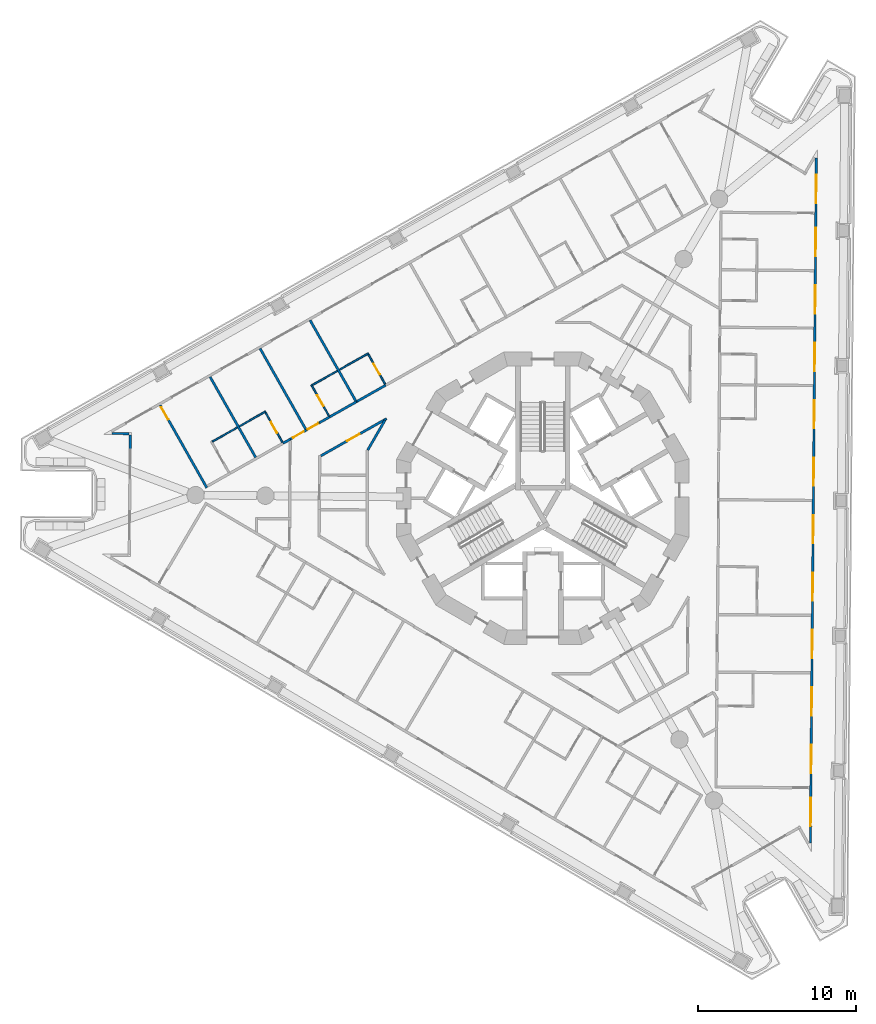
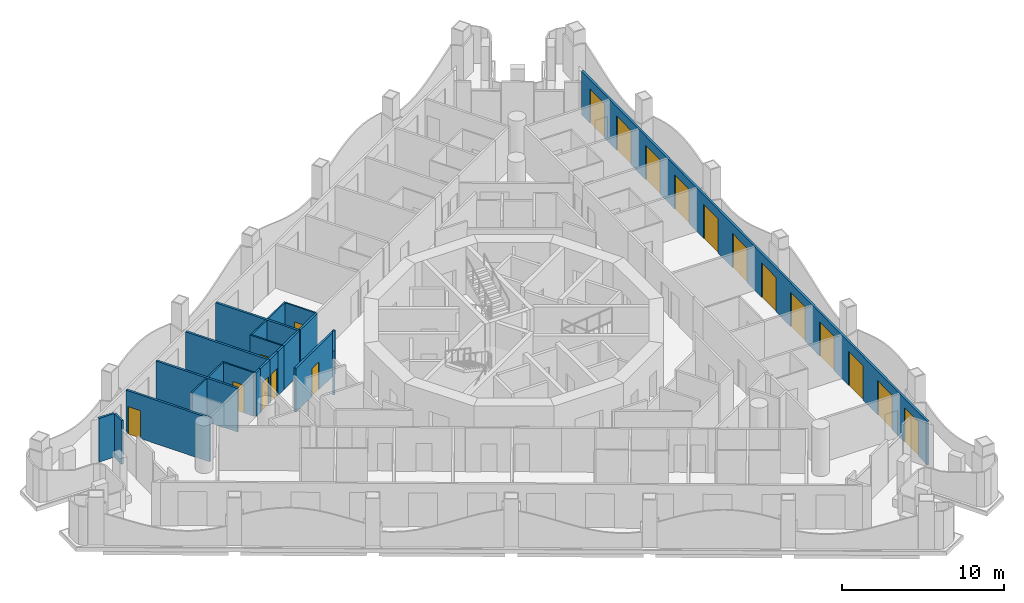
# One storey, part 7 of 18: 22 walls, 19 doors, 19 openings.
"""IFC4 building model written with IfcOpenShell, lengths in metres."""

from ifc_helpers import new_model, si_unit, direction, frame, frame_2d, origin, place, context, subcontext, project, spatial, polyline, rectangle, outline, extrude, material, layer, layer_set, type_object, element, fill, save


model = new_model("IFC4")

# Units and contexts
model_context = context("Model", 3, precision=1e-05, world=origin(), true_north=direction((0.0, 1.0)))
body_context = subcontext(model_context, "Body", "Model", "MODEL_VIEW")
ifc_project = project(units=[si_unit("LENGTHUNIT", "METRE"), si_unit("AREAUNIT", "SQUARE_METRE"), si_unit("VOLUMEUNIT", "CUBIC_METRE"), si_unit("PLANEANGLEUNIT", "RADIAN"), si_unit("MASSUNIT", "GRAM", prefix="KILO")], contexts=[model_context])

# Site, building, storey
site_placement = place(None, origin())
site = spatial("IfcSite", under=ifc_project, at=site_placement, CompositionType="ELEMENT")
building_placement = place(site_placement, origin())
building = spatial("IfcBuilding", under=site, at=building_placement, Name="Trine Commons Tower", CompositionType="ELEMENT")
storey_placement = place(building_placement, frame((0.0, 0.0, 171.89990234375)))
storey = spatial("IfcBuildingStorey", under=building, at=storey_placement, Name="L44", CompositionType="ELEMENT", Elevation=171.89990234375)

# Walls
ifc_material_1 = material(Name="Aluminium-framed insulated wall panel", Category="aluminium")
ifc_layer_1 = layer(ifc_material_1, 0.14990234375)
ifc_layer_set_1 = layer_set([ifc_layer_1], Name="Aluminium-framed insulated wall panel")
wall_type_1 = type_object("IfcWallType", Name="Glazed frame wall 150, EI 60", PredefinedType="SOLIDWALL", material=ifc_layer_set_1)
wall_1_placement = place(storey_placement, frame((53.816162109375, 65.628662109375, 0.0), z_axis=(0.0, 0.0, 1.0), x_axis=(0.008788723053, 0.999961378428, 0.0)))
element("IfcWall", 1, at=wall_1_placement, inside=storey, type_object=wall_type_1, Name="Glazed frame wall P1.5", PredefinedType="SOLIDWALL", context=body_context, shape_type="SweptSolid", body=[
    extrude(outline(polyline([(0.889892578125, 0.074951171875), (0.0, 0.074951171875), (0.0, -0.074951171875), (0.889892578125, -0.074951171875), (0.889892578125, 0.074951171875)])), origin(), (0.0, 0.0, 1.0), 3.300048828125),
])
wall_2_placement = place(storey_placement, frame((53.859619140625, 66.59326171875, 0.0), z_axis=(0.0, 0.0, 1.0), x_axis=(-0.999962043845, 0.008712684354, 0.0)))
element("IfcWall", 2, at=wall_2_placement, inside=storey, type_object=wall_type_1, Name="Glazed frame wall R3", PredefinedType="SOLIDWALL", context=body_context, shape_type="SweptSolid", body=[
    extrude(outline(polyline([(0.110107421875, 0.074951171875), (0.110107421875, -0.074951171875), (1.19580078125, -0.074951171875), (1.19580078125, 0.074951171875), (0.110107421875, 0.074951171875)])), origin(), (0.0, 0.0, 1.0), 3.300048828125),
])

# Wall, openings, doors
wall_3_placement = place(storey_placement, frame((97.36279296875, 84.232421875, 0.0), z_axis=(0.0, 0.0, 1.0), x_axis=(-0.00872447395, -0.999961941053, 0.0)))
wall_3 = element("IfcWall", 3, at=wall_3_placement, inside=storey, type_object=wall_type_1, Name="Glazed frame wall F2", PredefinedType="SOLIDWALL", context=body_context, shape_type="SweptSolid", body=[
    extrude(outline(polyline([(0.1494140625, 0.074951171875), (0.1494140625, -0.074951171875), (43.616943359375, -0.074951171875), (43.616943359375, 0.074951171875), (0.1494140625, 0.074951171875)])), origin(), (0.0, 0.0, 1.0), 3.300048828125),
])
opening_1_placement = place(wall_3_placement, frame((1.2236328125, 0.0, 0.0)))
opening_1 = element("IfcOpeningElement", 4, at=opening_1_placement, cuts=wall_3, Name="Opening BD-5F2-01", PredefinedType="OPENING", context=body_context, shape_type="SweptSolid", body=[
    extrude(rectangle(XDim=1.800048828125, YDim=2.60009765625, at=frame_2d((0.89990234375, 1.300048828125))), frame((0.0, 0.0849609375, 0.0), z_axis=(0.0, -1.0, 0.0), x_axis=(1.0, 0.0, 0.0)), (0.0, 0.0, 1.0), 0.169921875),
])
opening_2_placement = place(wall_3_placement, frame((4.57080078125, 0.0, 0.0)))
opening_2 = element("IfcOpeningElement", 5, at=opening_2_placement, cuts=wall_3, Name="Opening BD-5F2-02", PredefinedType="OPENING", context=body_context, shape_type="SweptSolid", body=[
    extrude(rectangle(XDim=1.800048828125, YDim=2.60009765625, at=frame_2d((0.89990234375, 1.300048828125))), frame((0.0, 0.0849609375, 0.0), z_axis=(0.0, -1.0, 0.0), x_axis=(1.0, 0.0, 0.0)), (0.0, 0.0, 1.0), 0.169921875),
])
opening_3_placement = place(wall_3_placement, frame((8.218017578125, 0.0, 0.0)))
opening_3 = element("IfcOpeningElement", 6, at=opening_3_placement, cuts=wall_3, Name="Opening BD-5F2-03", PredefinedType="OPENING", context=body_context, shape_type="SweptSolid", body=[
    extrude(rectangle(XDim=1.800048828125, YDim=2.60009765625, at=frame_2d((0.89990234375, 1.300048828125))), frame((0.0, 0.0849609375, 0.0), z_axis=(0.0, -1.0, 0.0), x_axis=(1.0, 0.0, 0.0)), (0.0, 0.0, 1.0), 0.169921875),
])
opening_4_placement = place(wall_3_placement, frame((11.865234375, 0.0, 0.0)))
opening_4 = element("IfcOpeningElement", 7, at=opening_4_placement, cuts=wall_3, Name="Opening BD-5F2-04", PredefinedType="OPENING", context=body_context, shape_type="SweptSolid", body=[
    extrude(rectangle(XDim=1.800048828125, YDim=2.60009765625, at=frame_2d((0.89990234375, 1.300048828125))), frame((0.0, 0.0849609375, 0.0), z_axis=(0.0, -1.0, 0.0), x_axis=(1.0, 0.0, 0.0)), (0.0, 0.0, 1.0), 0.169921875),
])
opening_5_placement = place(wall_3_placement, frame((15.512451171875, 0.0, 0.0)))
opening_5 = element("IfcOpeningElement", 8, at=opening_5_placement, cuts=wall_3, Name="Opening BD-5F2-05", PredefinedType="OPENING", context=body_context, shape_type="SweptSolid", body=[
    extrude(rectangle(XDim=1.800048828125, YDim=2.60009765625, at=frame_2d((0.89990234375, 1.300048828125))), frame((0.0, 0.0849609375, 0.0), z_axis=(0.0, -1.0, 0.0), x_axis=(1.0, 0.0, 0.0)), (0.0, 0.0, 1.0), 0.169921875),
])
opening_6_placement = place(wall_3_placement, frame((19.15966796875, 0.0, 0.0)))
opening_6 = element("IfcOpeningElement", 9, at=opening_6_placement, cuts=wall_3, Name="Opening BD-5F2-06", PredefinedType="OPENING", context=body_context, shape_type="SweptSolid", body=[
    extrude(rectangle(XDim=1.800048828125, YDim=2.60009765625, at=frame_2d((0.89990234375, 1.300048828125))), frame((0.0, 0.0849609375, 0.0), z_axis=(0.0, -1.0, 0.0), x_axis=(1.0, 0.0, 0.0)), (0.0, 0.0, 1.0), 0.169921875),
])
opening_7_placement = place(wall_3_placement, frame((22.806884765625, 0.0, 0.0)))
opening_7 = element("IfcOpeningElement", 10, at=opening_7_placement, cuts=wall_3, Name="Opening BD-5F2-07", PredefinedType="OPENING", context=body_context, shape_type="SweptSolid", body=[
    extrude(rectangle(XDim=1.800048828125, YDim=2.60009765625, at=frame_2d((0.89990234375, 1.300048828125))), frame((0.0, 0.0849609375, 0.0), z_axis=(0.0, -1.0, 0.0), x_axis=(1.0, 0.0, 0.0)), (0.0, 0.0, 1.0), 0.169921875),
])
opening_8_placement = place(wall_3_placement, frame((26.4541015625, 0.0, 0.0)))
opening_8 = element("IfcOpeningElement", 11, at=opening_8_placement, cuts=wall_3, Name="Opening BD-5F2-08", PredefinedType="OPENING", context=body_context, shape_type="SweptSolid", body=[
    extrude(rectangle(XDim=1.800048828125, YDim=2.60009765625, at=frame_2d((0.89990234375, 1.300048828125))), frame((0.0, 0.0849609375, 0.0), z_axis=(0.0, -1.0, 0.0), x_axis=(1.0, 0.0, 0.0)), (0.0, 0.0, 1.0), 0.169921875),
])
opening_9_placement = place(wall_3_placement, frame((30.101318359375, 0.0, 0.0)))
opening_9 = element("IfcOpeningElement", 12, at=opening_9_placement, cuts=wall_3, Name="Opening BD-5F2-09", PredefinedType="OPENING", context=body_context, shape_type="SweptSolid", body=[
    extrude(rectangle(XDim=1.800048828125, YDim=2.60009765625, at=frame_2d((0.89990234375, 1.300048828125))), frame((0.0, 0.0849609375, 0.0), z_axis=(0.0, -1.0, 0.0), x_axis=(1.0, 0.0, 0.0)), (0.0, 0.0, 1.0), 0.169921875),
])
opening_10_placement = place(wall_3_placement, frame((33.748291015625, 0.0, 0.0)))
opening_10 = element("IfcOpeningElement", 13, at=opening_10_placement, cuts=wall_3, Name="Opening BD-5F2-10", PredefinedType="OPENING", context=body_context, shape_type="SweptSolid", body=[
    extrude(rectangle(XDim=1.800048828125, YDim=2.60009765625, at=frame_2d((0.89990234375, 1.300048828125))), frame((0.0, 0.0849609375, 0.0), z_axis=(0.0, -1.0, 0.0), x_axis=(1.0, 0.0, 0.0)), (0.0, 0.0, 1.0), 0.169921875),
])
opening_11_placement = place(wall_3_placement, frame((37.3955078125, 0.0, 0.0)))
opening_11 = element("IfcOpeningElement", 14, at=opening_11_placement, cuts=wall_3, Name="Opening BD-5F2-11", PredefinedType="OPENING", context=body_context, shape_type="SweptSolid", body=[
    extrude(rectangle(XDim=1.800048828125, YDim=2.60009765625, at=frame_2d((0.89990234375, 1.300048828125))), frame((0.0, 0.0849609375, 0.0), z_axis=(0.0, -1.0, 0.0), x_axis=(1.0, 0.0, 0.0)), (0.0, 0.0, 1.0), 0.169921875),
])
opening_12_placement = place(wall_3_placement, frame((40.742919921875, 0.0, 0.0)))
opening_12 = element("IfcOpeningElement", 15, at=opening_12_placement, cuts=wall_3, Name="Opening BD-5F2-12", PredefinedType="OPENING", context=body_context, shape_type="SweptSolid", body=[
    extrude(rectangle(XDim=1.800048828125, YDim=2.60009765625, at=frame_2d((0.89990234375, 1.300048828125))), frame((0.0, 0.0849609375, 0.0), z_axis=(0.0, -1.0, 0.0), x_axis=(1.0, 0.0, 0.0)), (0.0, 0.0, 1.0), 0.169921875),
])
ifc_material_2 = material(Name="Anodised aluminium frame with double glazing", Category="aluminium")
door_type_1 = type_object("IfcDoorType", Name="Sliding loggia door 1800x2600", OperationType="SLIDING_TO_LEFT", PredefinedType="DOOR", material=ifc_material_2)
door_1_placement = place(opening_1_placement, origin())
door_1 = element("IfcDoor", 16, at=door_1_placement, inside=storey, type_object=door_type_1, Name="Loggia door F2 1", OperationType="SLIDING_TO_LEFT", OverallHeight=2.60009765625, OverallWidth=1.800048828125, PredefinedType="DOOR", context=body_context, shape_type="SweptSolid", body=[
    extrude(rectangle(XDim=1.800048828125, YDim=2.60009765625, at=frame_2d((0.89990234375, 1.300048828125))), frame((0.0, 0.02490234375, 0.0), z_axis=(0.0, -1.0, 0.0), x_axis=(1.0, 0.0, 0.0)), (0.0, 0.0, 1.0), 0.050048828125),
])
fill(opening_1, door_1)
door_2_placement = place(opening_2_placement, origin())
door_2 = element("IfcDoor", 17, at=door_2_placement, inside=storey, type_object=door_type_1, Name="Loggia door F2 2", OperationType="SLIDING_TO_LEFT", OverallHeight=2.60009765625, OverallWidth=1.800048828125, PredefinedType="DOOR", context=body_context, shape_type="SweptSolid", body=[
    extrude(rectangle(XDim=1.800048828125, YDim=2.60009765625, at=frame_2d((0.89990234375, 1.300048828125))), frame((0.0, 0.02490234375, 0.0), z_axis=(0.0, -1.0, 0.0), x_axis=(1.0, 0.0, 0.0)), (0.0, 0.0, 1.0), 0.050048828125),
])
fill(opening_2, door_2)
door_3_placement = place(opening_3_placement, origin())
door_3 = element("IfcDoor", 18, at=door_3_placement, inside=storey, type_object=door_type_1, Name="Loggia door F2 3", OperationType="SLIDING_TO_LEFT", OverallHeight=2.60009765625, OverallWidth=1.800048828125, PredefinedType="DOOR", context=body_context, shape_type="SweptSolid", body=[
    extrude(rectangle(XDim=1.800048828125, YDim=2.60009765625, at=frame_2d((0.89990234375, 1.300048828125))), frame((0.0, 0.02490234375, 0.0), z_axis=(0.0, -1.0, 0.0), x_axis=(1.0, 0.0, 0.0)), (0.0, 0.0, 1.0), 0.050048828125),
])
fill(opening_3, door_3)
door_4_placement = place(opening_4_placement, origin())
door_4 = element("IfcDoor", 19, at=door_4_placement, inside=storey, type_object=door_type_1, Name="Loggia door F2 4", OperationType="SLIDING_TO_LEFT", OverallHeight=2.60009765625, OverallWidth=1.800048828125, PredefinedType="DOOR", context=body_context, shape_type="SweptSolid", body=[
    extrude(rectangle(XDim=1.800048828125, YDim=2.60009765625, at=frame_2d((0.89990234375, 1.300048828125))), frame((0.0, 0.02490234375, 0.0), z_axis=(0.0, -1.0, 0.0), x_axis=(1.0, 0.0, 0.0)), (0.0, 0.0, 1.0), 0.050048828125),
])
fill(opening_4, door_4)
door_5_placement = place(opening_5_placement, origin())
door_5 = element("IfcDoor", 20, at=door_5_placement, inside=storey, type_object=door_type_1, Name="Loggia door F2 5", OperationType="SLIDING_TO_LEFT", OverallHeight=2.60009765625, OverallWidth=1.800048828125, PredefinedType="DOOR", context=body_context, shape_type="SweptSolid", body=[
    extrude(rectangle(XDim=1.800048828125, YDim=2.60009765625, at=frame_2d((0.89990234375, 1.300048828125))), frame((0.0, 0.02490234375, 0.0), z_axis=(0.0, -1.0, 0.0), x_axis=(1.0, 0.0, 0.0)), (0.0, 0.0, 1.0), 0.050048828125),
])
fill(opening_5, door_5)
door_6_placement = place(opening_6_placement, origin())
door_6 = element("IfcDoor", 21, at=door_6_placement, inside=storey, type_object=door_type_1, Name="Loggia door F2 6", OperationType="SLIDING_TO_LEFT", OverallHeight=2.60009765625, OverallWidth=1.800048828125, PredefinedType="DOOR", context=body_context, shape_type="SweptSolid", body=[
    extrude(rectangle(XDim=1.800048828125, YDim=2.60009765625, at=frame_2d((0.89990234375, 1.300048828125))), frame((0.0, 0.02490234375, 0.0), z_axis=(0.0, -1.0, 0.0), x_axis=(1.0, 0.0, 0.0)), (0.0, 0.0, 1.0), 0.050048828125),
])
fill(opening_6, door_6)
door_7_placement = place(opening_7_placement, origin())
door_7 = element("IfcDoor", 22, at=door_7_placement, inside=storey, type_object=door_type_1, Name="Loggia door F2 7", OperationType="SLIDING_TO_LEFT", OverallHeight=2.60009765625, OverallWidth=1.800048828125, PredefinedType="DOOR", context=body_context, shape_type="SweptSolid", body=[
    extrude(rectangle(XDim=1.800048828125, YDim=2.60009765625, at=frame_2d((0.89990234375, 1.300048828125))), frame((0.0, 0.02490234375, 0.0), z_axis=(0.0, -1.0, 0.0), x_axis=(1.0, 0.0, 0.0)), (0.0, 0.0, 1.0), 0.050048828125),
])
fill(opening_7, door_7)
door_8_placement = place(opening_8_placement, origin())
door_8 = element("IfcDoor", 23, at=door_8_placement, inside=storey, type_object=door_type_1, Name="Loggia door F2 8", OperationType="SLIDING_TO_LEFT", OverallHeight=2.60009765625, OverallWidth=1.800048828125, PredefinedType="DOOR", context=body_context, shape_type="SweptSolid", body=[
    extrude(rectangle(XDim=1.800048828125, YDim=2.60009765625, at=frame_2d((0.89990234375, 1.300048828125))), frame((0.0, 0.02490234375, 0.0), z_axis=(0.0, -1.0, 0.0), x_axis=(1.0, 0.0, 0.0)), (0.0, 0.0, 1.0), 0.050048828125),
])
fill(opening_8, door_8)
door_9_placement = place(opening_9_placement, origin())
door_9 = element("IfcDoor", 24, at=door_9_placement, inside=storey, type_object=door_type_1, Name="Loggia door F2 9", OperationType="SLIDING_TO_LEFT", OverallHeight=2.60009765625, OverallWidth=1.800048828125, PredefinedType="DOOR", context=body_context, shape_type="SweptSolid", body=[
    extrude(rectangle(XDim=1.800048828125, YDim=2.60009765625, at=frame_2d((0.89990234375, 1.300048828125))), frame((0.0, 0.02490234375, 0.0), z_axis=(0.0, -1.0, 0.0), x_axis=(1.0, 0.0, 0.0)), (0.0, 0.0, 1.0), 0.050048828125),
])
fill(opening_9, door_9)
door_10_placement = place(opening_10_placement, origin())
door_10 = element("IfcDoor", 25, at=door_10_placement, inside=storey, type_object=door_type_1, Name="Loggia door F2 10", OperationType="SLIDING_TO_LEFT", OverallHeight=2.60009765625, OverallWidth=1.800048828125, PredefinedType="DOOR", context=body_context, shape_type="SweptSolid", body=[
    extrude(rectangle(XDim=1.800048828125, YDim=2.60009765625, at=frame_2d((0.89990234375, 1.300048828125))), frame((0.0, 0.02490234375, 0.0), z_axis=(0.0, -1.0, 0.0), x_axis=(1.0, 0.0, 0.0)), (0.0, 0.0, 1.0), 0.050048828125),
])
fill(opening_10, door_10)
door_11_placement = place(opening_11_placement, origin())
door_11 = element("IfcDoor", 26, at=door_11_placement, inside=storey, type_object=door_type_1, Name="Loggia door F2 11", OperationType="SLIDING_TO_LEFT", OverallHeight=2.60009765625, OverallWidth=1.800048828125, PredefinedType="DOOR", context=body_context, shape_type="SweptSolid", body=[
    extrude(rectangle(XDim=1.800048828125, YDim=2.60009765625, at=frame_2d((0.89990234375, 1.300048828125))), frame((0.0, 0.02490234375, 0.0), z_axis=(0.0, -1.0, 0.0), x_axis=(1.0, 0.0, 0.0)), (0.0, 0.0, 1.0), 0.050048828125),
])
fill(opening_11, door_11)
door_12_placement = place(opening_12_placement, origin())
door_12 = element("IfcDoor", 27, at=door_12_placement, inside=storey, type_object=door_type_1, Name="Loggia door F2 12", OperationType="SLIDING_TO_LEFT", OverallHeight=2.60009765625, OverallWidth=1.800048828125, PredefinedType="DOOR", context=body_context, shape_type="SweptSolid", body=[
    extrude(rectangle(XDim=1.800048828125, YDim=2.60009765625, at=frame_2d((0.89990234375, 1.300048828125))), frame((0.0, 0.02490234375, 0.0), z_axis=(0.0, -1.0, 0.0), x_axis=(1.0, 0.0, 0.0)), (0.0, 0.0, 1.0), 0.050048828125),
])
fill(opening_12, door_12)

# Wall, opening, door
ifc_material_3 = material(Name="Gypsum plasterboard on steel stud", Category="steel")
ifc_layer_2 = layer(ifc_material_3, 0.14990234375)
ifc_layer_set_2 = layer_set([ifc_layer_2], Name="Gypsum plasterboard on steel stud")
wall_type_2 = type_object("IfcWallType", Name="Unit and corridor wall 150 mm, EI 60", PredefinedType="PARTITIONING", material=ifc_layer_set_2)
wall_4_placement = place(storey_placement, frame((55.708740234375, 68.401123046875, 0.0), z_axis=(0.0, 0.0, 1.0), x_axis=(0.492481823802, -0.870322729351, 0.0)))
wall_4 = element("IfcWall", 28, at=wall_4_placement, inside=storey, type_object=wall_type_2, Name="Partition 002", PredefinedType="PARTITIONING", context=body_context, shape_type="SweptSolid", body=[
    extrude(rectangle(XDim=6.024658203125, YDim=0.14990234375, at=frame_2d((3.01220703125, 0.0))), origin(), (0.0, 0.0, 1.0), 3.300048828125),
])
opening_13_placement = place(wall_4_placement, frame((0.14990234375, 0.0, 0.0)))
opening_13 = element("IfcOpeningElement", 29, at=opening_13_placement, cuts=wall_4, Name="Opening D-5B06", PredefinedType="OPENING", context=body_context, shape_type="SweptSolid", body=[
    extrude(rectangle(XDim=0.89990234375, YDim=2.10009765625, at=frame_2d((0.449951171875, 1.050048828125))), frame((0.0, 0.0849609375, 0.0), z_axis=(0.0, -1.0, 0.0), x_axis=(1.0, 0.0, 0.0)), (0.0, 0.0, 1.0), 0.169921875),
])
ifc_material_4 = material(Name="Timber fire door set", Category="wood")
door_type_2 = type_object("IfcDoorType", Name="Bedroom door 900 x 2100, FD30S", OperationType="NOTDEFINED", PredefinedType="DOOR", material=ifc_material_4)
door_13_placement = place(opening_13_placement, origin())
door_13 = element("IfcDoor", 30, at=door_13_placement, inside=storey, type_object=door_type_2, Name="Door D-5B06", OperationType="SINGLE_SWING_LEFT", OverallHeight=2.10009765625, OverallWidth=0.89990234375, PredefinedType="DOOR", context=body_context, shape_type="SweptSolid", body=[
    extrude(rectangle(XDim=0.89990234375, YDim=2.10009765625, at=frame_2d((0.449951171875, 1.050048828125))), frame((0.0, 0.02490234375, 0.0), z_axis=(0.0, -1.0, 0.0), x_axis=(1.0, 0.0, 0.0)), (0.0, 0.0, 1.0), 0.050048828125),
])
fill(opening_13, door_13)

# Walls
wall_5_placement = place(storey_placement, frame((58.8837890625, 70.197265625, 0.0), z_axis=(0.0, 0.0, 1.0), x_axis=(0.492361245758, -0.870390948756, 0.0)))
element("IfcWall", 31, at=wall_5_placement, inside=storey, type_object=wall_type_2, Name="Partition 005", PredefinedType="PARTITIONING", context=body_context, shape_type="SweptSolid", body=[
    extrude(rectangle(XDim=5.87451171875, YDim=0.14990234375, at=frame_2d((2.937255859375, 0.0))), origin(), (0.0, 0.0, 1.0), 3.300048828125),
])
wall_6_placement = place(storey_placement, frame((62.0576171875, 71.9931640625, 0.0), z_axis=(0.0, 0.0, 1.0), x_axis=(0.492391211334, -0.870373997199, 0.0)))
element("IfcWall", 32, at=wall_6_placement, inside=storey, type_object=wall_type_2, Name="Partition 015", PredefinedType="PARTITIONING", context=body_context, shape_type="SweptSolid", body=[
    extrude(rectangle(XDim=5.949462890625, YDim=0.14990234375, at=frame_2d((2.974609375, 0.0))), origin(), (0.0, 0.0, 1.0), 3.300048828125),
])
wall_7_placement = place(storey_placement, frame((63.507080078125, 65.97705078125, 0.0), z_axis=(0.0, 0.0, 1.0), x_axis=(0.869938000449, 0.493161104888, 0.0)))
element("IfcWall", 33, at=wall_7_placement, inside=storey, type_object=wall_type_2, Name="Partition 019", PredefinedType="PARTITIONING", context=body_context, shape_type="SweptSolid", body=[
    extrude(rectangle(XDim=0.5390625, YDim=0.14990234375, at=frame_2d((0.26953125, 0.0))), origin(), (0.0, 0.0, 1.0), 3.300048828125),
])

# Wall, opening, door
wall_8_placement = place(storey_placement, frame((63.97607421875, 66.242919921875, 0.0), z_axis=(0.0, 0.0, 1.0), x_axis=(0.870234820761, 0.492637145102, 0.0)))
wall_8 = element("IfcWall", 34, at=wall_8_placement, inside=storey, type_object=wall_type_2, Name="Partition 024", PredefinedType="PARTITIONING", context=body_context, shape_type="SweptSolid", body=[
    extrude(rectangle(XDim=1.1650390625, YDim=0.14990234375, at=frame_2d((0.58251953125, 0.0))), origin(), (0.0, 0.0, 1.0), 3.300048828125),
])
opening_14_placement = place(wall_8_placement, frame((0.180908203125, 0.0, 0.0)))
opening_14 = element("IfcOpeningElement", 35, at=opening_14_placement, cuts=wall_8, Name="Opening D-5B07", PredefinedType="OPENING", context=body_context, shape_type="SweptSolid", body=[
    extrude(rectangle(XDim=0.800048828125, YDim=2.10009765625, at=frame_2d((0.39990234375, 1.050048828125))), frame((0.0, 0.0849609375, 0.0), z_axis=(0.0, -1.0, 0.0), x_axis=(1.0, 0.0, 0.0)), (0.0, 0.0, 1.0), 0.169921875),
])
door_type_3 = type_object("IfcDoorType", Name="Bedroom door 800 x 2100, FD30S", OperationType="NOTDEFINED", PredefinedType="DOOR", material=ifc_material_4)
door_14_placement = place(opening_14_placement, origin())
door_14 = element("IfcDoor", 36, at=door_14_placement, inside=storey, type_object=door_type_3, Name="Door D-5B07", OperationType="SINGLE_SWING_LEFT", OverallHeight=2.10009765625, OverallWidth=0.800048828125, PredefinedType="DOOR", context=body_context, shape_type="SweptSolid", body=[
    extrude(rectangle(XDim=0.800048828125, YDim=2.10009765625, at=frame_2d((0.39990234375, 1.050048828125))), frame((0.0, 0.02490234375, 0.0), z_axis=(0.0, -1.0, 0.0), x_axis=(1.0, 0.0, 0.0)), (0.0, 0.0, 1.0), 0.050048828125),
])
fill(opening_14, door_14)

wall_9_placement = place(storey_placement, frame((64.98388671875, 66.81298828125, 0.0), z_axis=(0.0, 0.0, 1.0), x_axis=(0.870488073498, 0.492189510145, 0.0)))
wall_9 = element("IfcWall", 37, at=wall_9_placement, inside=storey, type_object=wall_type_2, Name="Partition 026", PredefinedType="PARTITIONING", context=body_context, shape_type="SweptSolid", body=[
    extrude(rectangle(XDim=0.97314453125, YDim=0.14990234375, at=frame_2d((0.486572265625, 0.0))), origin(), (0.0, 0.0, 1.0), 3.300048828125),
])
opening_15_placement = place(wall_9_placement, frame((0.08349609375, 0.0, 0.0)))
opening_15 = element("IfcOpeningElement", 38, at=opening_15_placement, cuts=wall_9, Name="Opening D-5B08", PredefinedType="OPENING", context=body_context, shape_type="SweptSolid", body=[
    extrude(rectangle(XDim=0.800048828125, YDim=2.10009765625, at=frame_2d((0.39990234375, 1.050048828125))), frame((0.0, 0.0849609375, 0.0), z_axis=(0.0, -1.0, 0.0), x_axis=(1.0, 0.0, 0.0)), (0.0, 0.0, 1.0), 0.169921875),
])
door_15_placement = place(opening_15_placement, origin())
door_15 = element("IfcDoor", 39, at=door_15_placement, inside=storey, type_object=door_type_3, Name="Door D-5B08", OperationType="SINGLE_SWING_LEFT", OverallHeight=2.10009765625, OverallWidth=0.800048828125, PredefinedType="DOOR", context=body_context, shape_type="SweptSolid", body=[
    extrude(rectangle(XDim=0.800048828125, YDim=2.10009765625, at=frame_2d((0.39990234375, 1.050048828125))), frame((0.0, 0.02490234375, 0.0), z_axis=(0.0, -1.0, 0.0), x_axis=(1.0, 0.0, 0.0)), (0.0, 0.0, 1.0), 0.050048828125),
])
fill(opening_15, door_15)

# Walls
wall_10_placement = place(storey_placement, frame((65.231689453125, 73.789306640625, 0.0), z_axis=(0.0, 0.0, 1.0), x_axis=(0.492495148892, -0.870315189065, 0.0)))
element("IfcWall", 40, at=wall_10_placement, inside=storey, type_object=wall_type_2, Name="Partition 028", PredefinedType="PARTITIONING", context=body_context, shape_type="SweptSolid", body=[
    extrude(rectangle(XDim=6.02490234375, YDim=0.14990234375, at=frame_2d((3.012451171875, 0.0))), origin(), (0.0, 0.0, 1.0), 3.300048828125),
])
wall_11_placement = place(storey_placement, frame((65.8310546875, 67.2919921875, 0.0), z_axis=(0.0, 0.0, 1.0), x_axis=(0.870513120225, 0.492145209786, 0.0)))
element("IfcWall", 41, at=wall_11_placement, inside=storey, type_object=wall_type_2, Name="Partition 037", PredefinedType="PARTITIONING", context=body_context, shape_type="SweptSolid", body=[
    extrude(rectangle(XDim=0.731689453125, YDim=0.14990234375, at=frame_2d((0.36572265625, 0.0))), origin(), (0.0, 0.0, 1.0), 3.300048828125),
])

# Wall, opening, door
wall_12_placement = place(storey_placement, frame((65.9072265625, 65.180908203125, 0.0), z_axis=(0.0, 0.0, 1.0), x_axis=(0.870373278687, 0.492392481408, 0.0)))
wall_12 = element("IfcWall", 42, at=wall_12_placement, inside=storey, type_object=wall_type_2, Name="Partition 039", PredefinedType="PARTITIONING", context=body_context, shape_type="SweptSolid", body=[
    extrude(rectangle(XDim=4.799072265625, YDim=0.14990234375, at=frame_2d((2.3994140625, 0.0))), origin(), (0.0, 0.0, 1.0), 3.300048828125),
])
opening_16_placement = place(wall_12_placement, frame((1.912109375, 0.0, 0.0)))
opening_16 = element("IfcOpeningElement", 43, at=opening_16_placement, cuts=wall_12, Name="Opening D-5B35", PredefinedType="OPENING", context=body_context, shape_type="SweptSolid", body=[
    extrude(rectangle(XDim=0.89990234375, YDim=2.10009765625, at=frame_2d((0.449951171875, 1.050048828125))), frame((0.0, 0.0849609375, 0.0), z_axis=(0.0, -1.0, 0.0), x_axis=(1.0, 0.0, 0.0)), (0.0, 0.0, 1.0), 0.169921875),
])
door_type_4 = type_object("IfcDoorType", Name="Service door 900 x 2100, FD30S", OperationType="NOTDEFINED", PredefinedType="DOOR", material=ifc_material_4)
door_16_placement = place(opening_16_placement, frame((0.89990234375, 0.0, 0.0), z_axis=(0.0, 0.0, 1.0), x_axis=(-1.0, 0.0, 0.0)))
door_16 = element("IfcDoor", 44, at=door_16_placement, inside=storey, type_object=door_type_4, Name="Door D-5B35", OperationType="SINGLE_SWING_RIGHT", OverallHeight=2.10009765625, OverallWidth=0.89990234375, PredefinedType="DOOR", context=body_context, shape_type="SweptSolid", body=[
    extrude(rectangle(XDim=0.89990234375, YDim=2.10009765625, at=frame_2d((0.449951171875, 1.050048828125))), frame((0.0, 0.02490234375, 0.0), z_axis=(0.0, -1.0, 0.0), x_axis=(1.0, 0.0, 0.0)), (0.0, 0.0, 1.0), 0.050048828125),
])
fill(opening_16, door_16)

# Walls
wall_13_placement = place(storey_placement, frame((66.41748046875, 67.62451171875, 0.0), z_axis=(0.0, 0.0, 1.0), x_axis=(0.870397465275, 0.492349725747, 0.0)))
element("IfcWall", 45, at=wall_13_placement, inside=storey, type_object=wall_type_2, Name="Partition 040", PredefinedType="PARTITIONING", context=body_context, shape_type="SweptSolid", body=[
    extrude(rectangle(XDim=2.0078125, YDim=0.14990234375, at=frame_2d((1.00390625, 0.0))), origin(), (0.0, 0.0, 1.0), 3.300048828125),
])
wall_14_placement = place(storey_placement, frame((68.224365234375, 68.64599609375, 0.0), z_axis=(0.0, 0.0, 1.0), x_axis=(0.870106004403, 0.492864627562, 0.0)))
element("IfcWall", 46, at=wall_14_placement, inside=storey, type_object=wall_type_2, Name="Partition 043", PredefinedType="PARTITIONING", context=body_context, shape_type="SweptSolid", body=[
    extrude(rectangle(XDim=2.08203125, YDim=0.14990234375, at=frame_2d((1.041015625, 0.0))), origin(), (0.0, 0.0, 1.0), 3.300048828125),
])
wall_15_placement = place(storey_placement, frame((68.889404296875, 65.552001953125, 0.0), z_axis=(0.0, 0.0, 1.0), x_axis=(0.499825543119, 0.866126103086, 0.0)))
element("IfcWall", 47, at=wall_15_placement, inside=storey, type_object=wall_type_2, Name="Partition 046", PredefinedType="PARTITIONING", context=body_context, shape_type="SweptSolid", body=[
    extrude(rectangle(XDim=2.186767578125, YDim=0.14990234375, at=frame_2d((1.09326171875, 0.0))), origin(), (0.0, 0.0, 1.0), 3.300048828125),
])
ifc_layer_3 = layer(ifc_material_3, 0.10009765625)
ifc_layer_set_3 = layer_set([ifc_layer_3], Name="Gypsum plasterboard on steel stud")
wall_type_3 = type_object("IfcWallType", Name="Unit partition 100 mm, no rating", PredefinedType="PARTITIONING", material=ifc_layer_set_3)
wall_16_placement = place(storey_placement, frame((59.026611328125, 66.085693359375, 0.0), z_axis=(0.0, 0.0, 1.0), x_axis=(0.870375876163, 0.492387889974, 0.0)))
element("IfcWall", 48, at=wall_16_placement, inside=storey, type_object=wall_type_3, Name="Partition 007", PredefinedType="PARTITIONING", context=body_context, shape_type="SweptSolid", body=[
    extrude(rectangle(XDim=1.82470703125, YDim=0.10009765625, at=frame_2d((0.912353515625, 0.0))), origin(), (0.0, 0.0, 1.0), 3.300048828125),
])
wall_17_placement = place(storey_placement, frame((60.745361328125, 67.057861328125, 0.0), z_axis=(0.0, 0.0, 1.0), x_axis=(0.870465997858, 0.492228551156, 0.0)))
element("IfcWall", 49, at=wall_17_placement, inside=storey, type_object=wall_type_3, Name="Partition 009", PredefinedType="PARTITIONING", context=body_context, shape_type="SweptSolid", body=[
    extrude(rectangle(XDim=1.925537109375, YDim=0.10009765625, at=frame_2d((0.962890625, 0.0))), origin(), (0.0, 0.0, 1.0), 3.300048828125),
])

# Wall, opening, door
wall_18_placement = place(storey_placement, frame((62.402587890625, 67.9375, 0.0), z_axis=(0.0, 0.0, 1.0), x_axis=(0.492205197529, -0.870479203385, 0.0)))
wall_18 = element("IfcWall", 50, at=wall_18_placement, inside=storey, type_object=wall_type_3, Name="Partition 016", PredefinedType="PARTITIONING", context=body_context, shape_type="SweptSolid", body=[
    extrude(rectangle(XDim=2.175048828125, YDim=0.10009765625, at=frame_2d((1.08740234375, 0.0))), origin(), (0.0, 0.0, 1.0), 3.300048828125),
])
opening_17_placement = place(wall_18_placement, frame((0.6875, 0.0, 0.0)))
opening_17 = element("IfcOpeningElement", 51, at=opening_17_placement, cuts=wall_18, Name="Opening D-5B40", PredefinedType="OPENING", context=body_context, shape_type="SweptSolid", body=[
    extrude(rectangle(XDim=0.800048828125, YDim=2.10009765625, at=frame_2d((0.39990234375, 1.050048828125))), frame((0.0, 0.06005859375, 0.0), z_axis=(0.0, -1.0, 0.0), x_axis=(1.0, 0.0, 0.0)), (0.0, 0.0, 1.0), 0.1201171875),
])
ifc_material_5 = material(Name="Painted timber", Category="wood")
door_type_5 = type_object("IfcDoorType", Name="Internal door 800 x 2100, NOT RATED", OperationType="NOTDEFINED", PredefinedType="DOOR", material=ifc_material_5)
door_17_placement = place(opening_17_placement, origin())
door_17 = element("IfcDoor", 52, at=door_17_placement, inside=storey, type_object=door_type_5, Name="Door D-5B40", OperationType="SINGLE_SWING_LEFT", OverallHeight=2.10009765625, OverallWidth=0.800048828125, PredefinedType="DOOR", context=body_context, shape_type="SweptSolid", body=[
    extrude(rectangle(XDim=0.800048828125, YDim=2.10009765625, at=frame_2d((0.39990234375, 1.050048828125))), frame((0.0, 0.02490234375, 0.0), z_axis=(0.0, -1.0, 0.0), x_axis=(1.0, 0.0, 0.0)), (0.0, 0.0, 1.0), 0.050048828125),
])
fill(opening_17, door_17)

wall_19_placement = place(storey_placement, frame((65.307373046875, 69.696533203125, 0.0), z_axis=(0.0, 0.0, 1.0), x_axis=(0.492181026221, -0.870492870406, 0.0)))
wall_19 = element("IfcWall", 53, at=wall_19_placement, inside=storey, type_object=wall_type_3, Name="Partition 029", PredefinedType="PARTITIONING", context=body_context, shape_type="SweptSolid", body=[
    extrude(rectangle(XDim=2.27490234375, YDim=0.10009765625, at=frame_2d((1.137451171875, 0.0))), origin(), (0.0, 0.0, 1.0), 3.300048828125),
])
opening_18_placement = place(wall_19_placement, frame((0.762451171875, 0.0, 0.0)))
opening_18 = element("IfcOpeningElement", 54, at=opening_18_placement, cuts=wall_19, Name="Opening D-5B41", PredefinedType="OPENING", context=body_context, shape_type="SweptSolid", body=[
    extrude(rectangle(XDim=0.800048828125, YDim=2.10009765625, at=frame_2d((0.39990234375, 1.050048828125))), frame((0.0, 0.06005859375, 0.0), z_axis=(0.0, -1.0, 0.0), x_axis=(1.0, 0.0, 0.0)), (0.0, 0.0, 1.0), 0.1201171875),
])
door_18_placement = place(opening_18_placement, frame((0.800048828125, 0.0, 0.0), z_axis=(0.0, 0.0, 1.0), x_axis=(-1.0, 0.0, 0.0)))
door_18 = element("IfcDoor", 55, at=door_18_placement, inside=storey, type_object=door_type_5, Name="Door D-5B41", OperationType="SINGLE_SWING_LEFT", OverallHeight=2.10009765625, OverallWidth=0.800048828125, PredefinedType="DOOR", context=body_context, shape_type="SweptSolid", body=[
    extrude(rectangle(XDim=0.800048828125, YDim=2.10009765625, at=frame_2d((0.39990234375, 1.050048828125))), frame((0.0, 0.02490234375, 0.0), z_axis=(0.0, -1.0, 0.0), x_axis=(1.0, 0.0, 0.0)), (0.0, 0.0, 1.0), 0.050048828125),
])
fill(opening_18, door_18)

# Walls
wall_20_placement = place(storey_placement, frame((65.37548828125, 69.677490234375, 0.0), z_axis=(0.0, 0.0, 1.0), x_axis=(0.870318531919, 0.492489241505, 0.0)))
element("IfcWall", 56, at=wall_20_placement, inside=storey, type_object=wall_type_3, Name="Partition 030", PredefinedType="PARTITIONING", context=body_context, shape_type="SweptSolid", body=[
    extrude(rectangle(XDim=1.82470703125, YDim=0.10009765625, at=frame_2d((0.912353515625, 0.0))), origin(), (0.0, 0.0, 1.0), 3.300048828125),
])
wall_21_placement = place(storey_placement, frame((67.09423828125, 70.64990234375, 0.0), z_axis=(0.0, 0.0, 1.0), x_axis=(0.870293094697, 0.492534191019, 0.0)))
element("IfcWall", 57, at=wall_21_placement, inside=storey, type_object=wall_type_3, Name="Partition 041", PredefinedType="PARTITIONING", context=body_context, shape_type="SweptSolid", body=[
    extrude(rectangle(XDim=2.125, YDim=0.10009765625, at=frame_2d((1.0625, 0.0))), origin(), (0.0, 0.0, 1.0), 3.300048828125),
])

# Wall, opening, door
wall_22_placement = place(storey_placement, frame((68.924560546875, 71.62841796875, 0.0), z_axis=(0.0, 0.0, 1.0), x_axis=(0.492593408535, -0.870259578441, 0.0)))
wall_22 = element("IfcWall", 58, at=wall_22_placement, inside=storey, type_object=wall_type_3, Name="Partition 047", PredefinedType="PARTITIONING", context=body_context, shape_type="SweptSolid", body=[
    extrude(rectangle(XDim=2.17529296875, YDim=0.10009765625, at=frame_2d((1.087646484375, 0.0))), origin(), (0.0, 0.0, 1.0), 3.300048828125),
])
opening_19_placement = place(wall_22_placement, frame((0.6875, 0.0, 0.0)))
opening_19 = element("IfcOpeningElement", 59, at=opening_19_placement, cuts=wall_22, Name="Opening D-5B42", PredefinedType="OPENING", context=body_context, shape_type="SweptSolid", body=[
    extrude(rectangle(XDim=0.800048828125, YDim=2.10009765625, at=frame_2d((0.39990234375, 1.050048828125))), frame((0.0, 0.06005859375, 0.0), z_axis=(0.0, -1.0, 0.0), x_axis=(1.0, 0.0, 0.0)), (0.0, 0.0, 1.0), 0.1201171875),
])
door_19_placement = place(opening_19_placement, origin())
door_19 = element("IfcDoor", 60, at=door_19_placement, inside=storey, type_object=door_type_5, Name="Door D-5B42", OperationType="SINGLE_SWING_LEFT", OverallHeight=2.10009765625, OverallWidth=0.800048828125, PredefinedType="DOOR", context=body_context, shape_type="SweptSolid", body=[
    extrude(rectangle(XDim=0.800048828125, YDim=2.10009765625, at=frame_2d((0.39990234375, 1.050048828125))), frame((0.0, 0.02490234375, 0.0), z_axis=(0.0, -1.0, 0.0), x_axis=(1.0, 0.0, 0.0)), (0.0, 0.0, 1.0), 0.050048828125),
])
fill(opening_19, door_19)

save(model, "model.ifc")
